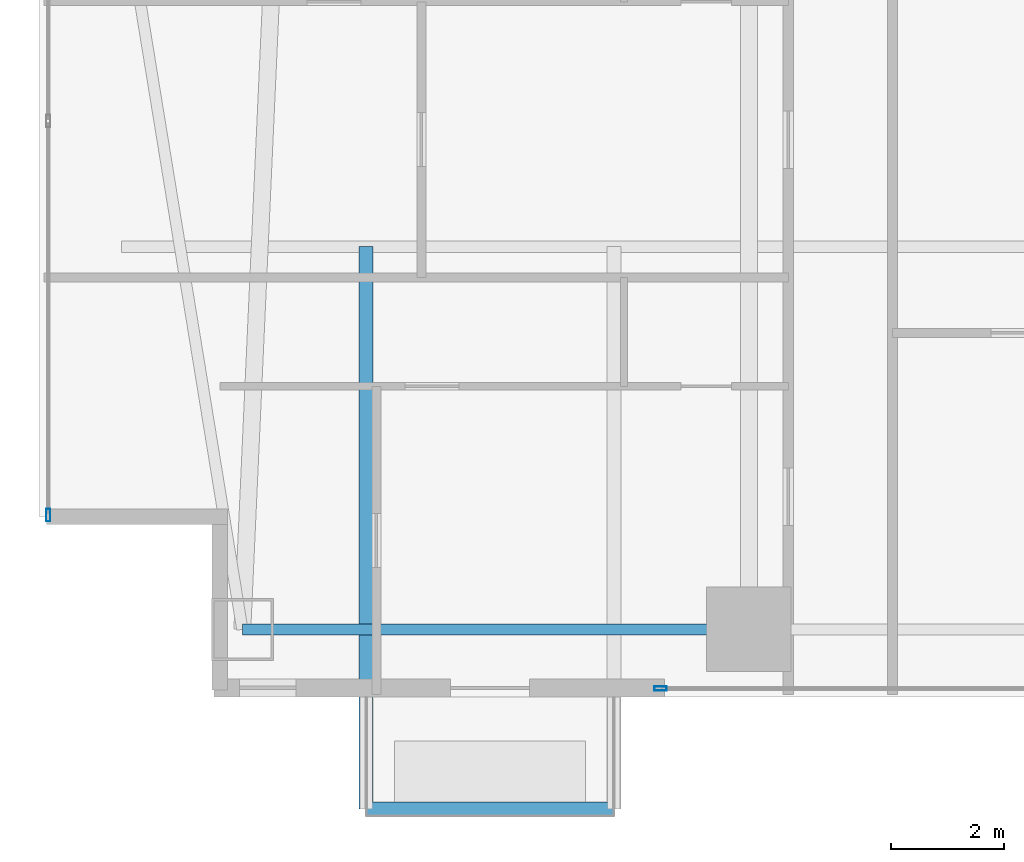
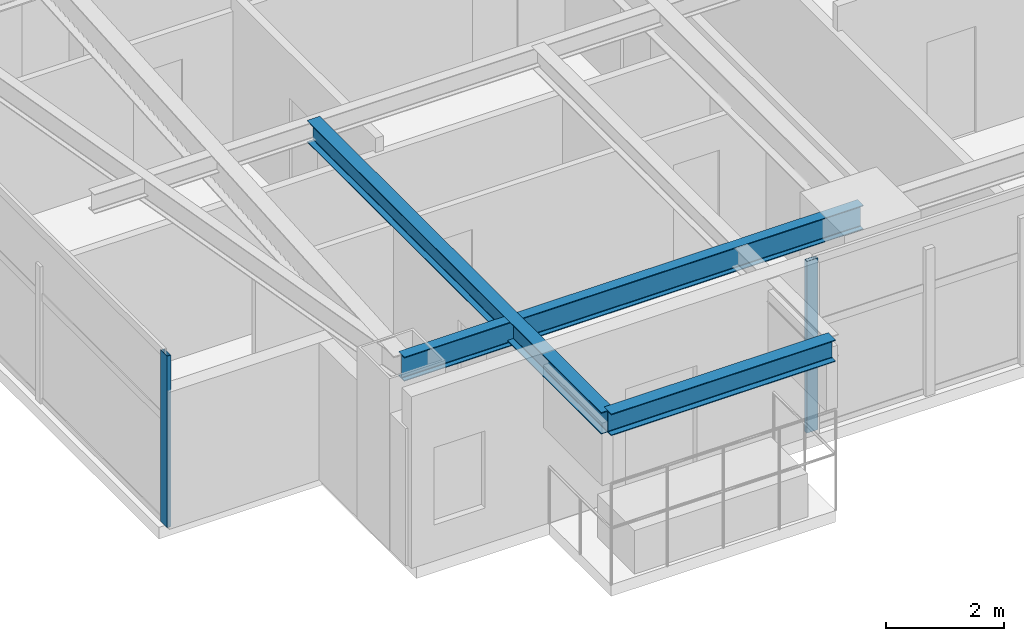
# One storey, part 2 of 29: 3 beams, 2 members, 2 elements without a shape of their own.
"""IFC4 building model written with IfcOpenShell, lengths in metres."""

from ifc_helpers import new_model, si_unit, direction, frame, origin, origin_2d, place, context, subcontext, project, spatial, hollow_rectangle, i_section, extrude, material, layer, layer_set, material_profile, profile_set, type_object, element, aggregate, save


model = new_model("IFC4")

# Units and contexts
model_context = context("Model", 3, precision=1e-05, world=origin(), true_north=direction((0.0, 1.0)))
body_context = subcontext(model_context, "Body", "Model", "MODEL_VIEW")
ifc_project = project(units=[si_unit("LENGTHUNIT", "METRE"), si_unit("AREAUNIT", "SQUARE_METRE"), si_unit("VOLUMEUNIT", "CUBIC_METRE"), si_unit("PLANEANGLEUNIT", "RADIAN"), si_unit("MASSUNIT", "GRAM", prefix="KILO")], contexts=[model_context])

# Site, building, storey
site_placement = place(None, origin())
site = spatial("IfcSite", under=ifc_project, at=site_placement, CompositionType="ELEMENT")
building_placement = place(site_placement, origin())
building = spatial("IfcBuilding", under=site, at=building_placement, Name="Calvorn Quay Hotel", CompositionType="ELEMENT")
storey_placement = place(building_placement, frame((0.0, 0.0, 58.39990234375)))
storey = spatial("IfcBuildingStorey", under=building, at=storey_placement, Name="L13", CompositionType="ELEMENT", Elevation=58.39990234375)

# Beams
ifc_material_1 = material(Name="Steel Q355B", Category="steel")
ifc_material_profile_1 = material_profile(ifc_material_1, i_section(OverallWidth=0.25, OverallDepth=0.449951171875, WebThickness=0.011962890625, FlangeThickness=0.01611328125, FilletRadius=0.01611328125, at=origin_2d()), Name="HN450x250x12x16")
ifc_profile_set_1 = profile_set([ifc_material_profile_1], Name="Steel Q355B")
beam_type_1 = type_object("IfcBeamType", Name="BM-CANT-BALC", PredefinedType="BEAM", material=ifc_profile_set_1)
beam_1_placement = place(storey_placement, frame((5.800048828125, 10.39990234375, 3.315185546875), z_axis=(0.0, -1.0, 0.0), x_axis=(1.0, 0.0, 0.0)))
element("IfcBeam", 1, at=beam_1_placement, inside=storey, type_object=beam_type_1, Name="Cantilever Balcony Beam BCB-L14-2A", PredefinedType="BEAM", context=body_context, shape_type="SweptSolid", body=[
    extrude(i_section(OverallWidth=0.25, OverallDepth=0.449951171875, WebThickness=0.011962890625, FlangeThickness=0.01611328125, FilletRadius=0.01611328125, at=origin_2d()), origin(), (0.0, 0.0, 1.0), 9.989990234375),
])
beam_2_placement = place(storey_placement, frame((5.800048828125, 0.409912109375, 3.315185546875), z_axis=(1.0, 0.0, 0.0), x_axis=(0.0, 1.0, 0.0)))
element("IfcBeam", 2, at=beam_2_placement, inside=storey, type_object=beam_type_1, Name="Beam BCBO-L14-2", PredefinedType="BEAM", context=body_context, shape_type="SweptSolid", body=[
    extrude(i_section(OverallWidth=0.25, OverallDepth=0.449951171875, WebThickness=0.011962890625, FlangeThickness=0.01611328125, FilletRadius=0.01611328125, at=origin_2d()), origin(), (0.0, 0.0, 1.0), 4.39990234375),
])
ifc_material_2 = material(Name="Steel Q355B", Category="steel")
ifc_material_profile_2 = material_profile(ifc_material_2, i_section(OverallWidth=0.199951171875, OverallDepth=0.5, WebThickness=0.010009765625, FlangeThickness=0.01611328125, FilletRadius=0.01611328125, at=origin_2d()), Name="HN500x200x10x16")
ifc_profile_set_2 = profile_set([ifc_material_profile_2], Name="Steel Q355B")
beam_type_2 = type_object("IfcBeamType", Name="BM-SPANDREL-Z1", PredefinedType="SPANDREL", material=ifc_profile_set_2)
beam_3_placement = place(storey_placement, frame((3.60009765625, 3.60009765625, 3.2900390625), z_axis=(1.0, 0.0, 0.0), x_axis=(0.0, 1.0, 0.0)))
element("IfcBeam", 3, at=beam_3_placement, inside=storey, type_object=beam_type_2, Name="Beam BSP-L13-S1", PredefinedType="SPANDREL", context=body_context, shape_type="SweptSolid", body=[
    extrude(i_section(OverallWidth=0.199951171875, OverallDepth=0.5, WebThickness=0.010009765625, FlangeThickness=0.01611328125, FilletRadius=0.01611328125, at=origin_2d()), origin(), (0.0, 0.0, 1.0), 9.0),
])

# Curtain wall, member
ifc_material_3 = material(Name="Pale Anodised Aluminium and Low-E Glass", Category="aluminium")
ifc_layer = layer(ifc_material_3, 0.219970703125)
ifc_layer_set = layer_set([ifc_layer], Name="CW-SYS-Z1")
curtain_wall_type = type_object("IfcCurtainWallType", Name="CW-SYS-Z1", PredefinedType="NOTDEFINED", material=ifc_layer_set)
curtain_wall_1_placement = place(storey_placement, origin())
curtain_wall_1 = element("IfcCurtainWall", 4, at=curtain_wall_1_placement, inside=storey, type_object=curtain_wall_type, Name="Tower West Curtain Wall (L13)", PredefinedType="NOTDEFINED")
ifc_material_4 = material(Name="Pale Anodised Aluminium 6063-T6", Category="aluminium")
ifc_material_profile_3 = material_profile(ifc_material_4, hollow_rectangle(XDim=0.074951171875, YDim=0.219970703125, WallThickness=0.00439453125, at=origin_2d()), Name="ALU-M220x75x4.5")
ifc_profile_set_3 = profile_set([ifc_material_profile_3], Name="Pale Anodised Aluminium 6063-T6")
member_type = type_object("IfcMemberType", Name="CW-SYS-Z1-MUL", PredefinedType="MULLION", material=ifc_profile_set_3)
member_1_placement = place(storey_placement, frame((0.14990234375, 5.6298828125, 0.0), z_axis=(0.0, 0.0, 1.0), x_axis=(-1.0, 0.0, 0.0)))
member_1 = element("IfcMember", 5, at=member_1_placement, type_object=member_type, Name="CW-L13-W mullion 1", PredefinedType="MULLION", context=body_context, shape_type="SweptSolid", body=[
    extrude(hollow_rectangle(XDim=0.074951171875, YDim=0.219970703125, WallThickness=0.00439453125, at=origin_2d()), origin(), (0.0, 0.0, 1.0), 3.56005859375),
])
aggregate(curtain_wall_1, [member_1])

curtain_wall_2_placement = place(storey_placement, origin())
curtain_wall_2 = element("IfcCurtainWall", 6, at=curtain_wall_2_placement, inside=storey, type_object=curtain_wall_type, Name="Tower South Waterfront Curtain Wall (L13)", PredefinedType="NOTDEFINED")
member_2_placement = place(storey_placement, frame((11.030029296875, 2.550048828125, 0.0), z_axis=(0.0, 0.0, 1.0), x_axis=(0.0, 1.0, 0.0)))
member_2 = element("IfcMember", 7, at=member_2_placement, type_object=member_type, Name="CW-L13-S mullion 1", PredefinedType="MULLION", context=body_context, shape_type="SweptSolid", body=[
    extrude(hollow_rectangle(XDim=0.074951171875, YDim=0.219970703125, WallThickness=0.00439453125, at=origin_2d()), origin(), (0.0, 0.0, 1.0), 3.56005859375),
])
aggregate(curtain_wall_2, [member_2])

save(model, "model.ifc")
